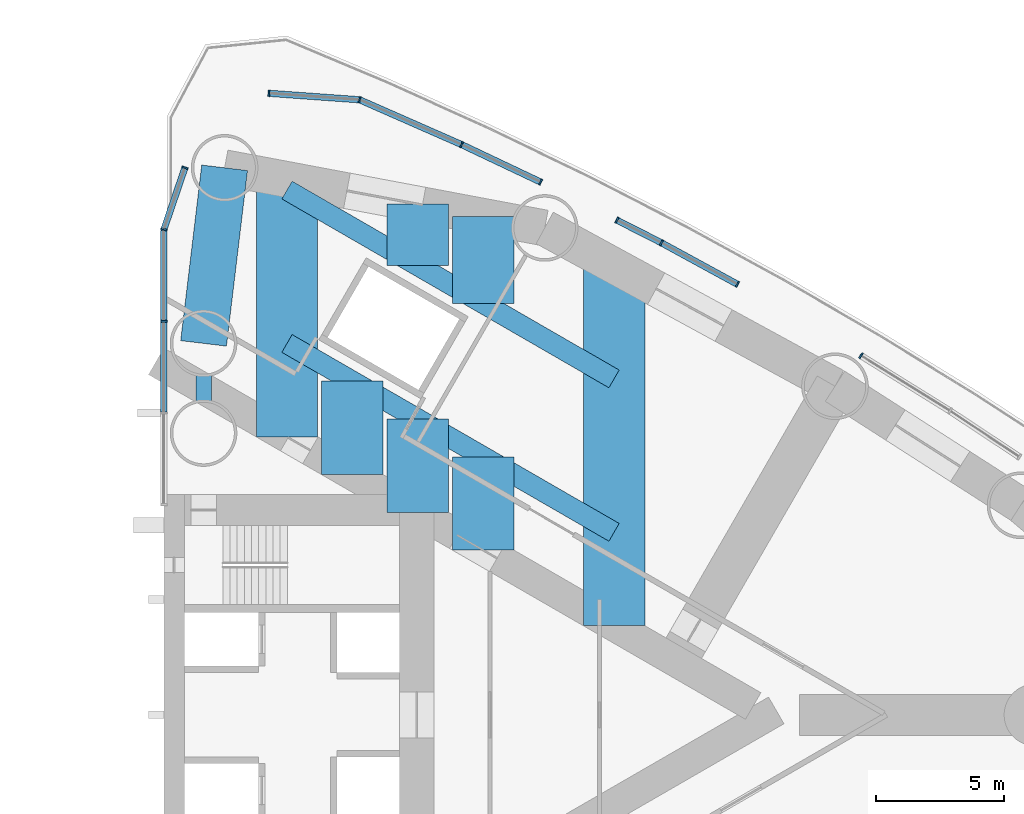
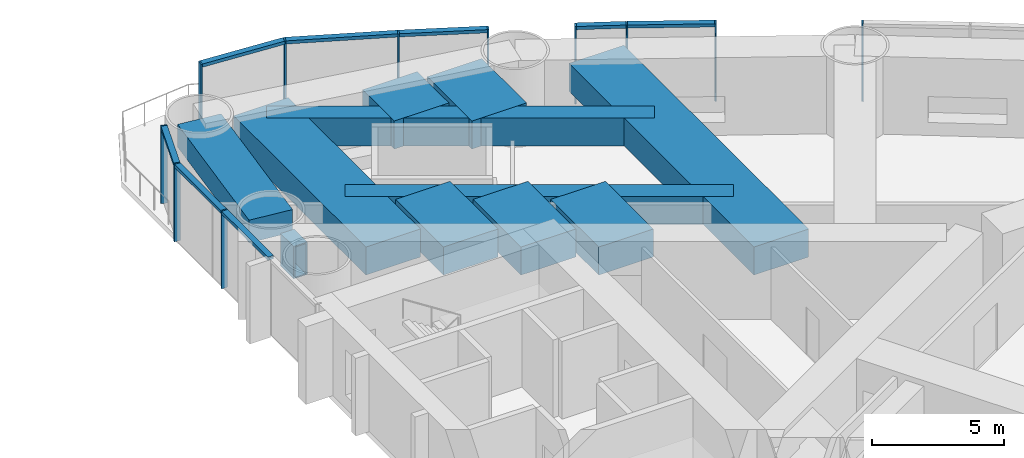
# One storey, part 6 of 19: 19 members, 11 beams, 4 elements without a shape of their own.
"""IFC4 building model written with IfcOpenShell, lengths in metres."""

from ifc_helpers import new_model, si_unit, direction, frame, origin, origin_2d, place, context, subcontext, project, spatial, rectangle, hollow_rectangle, extrude, material, material_profile, profile_set, type_object, element, aggregate, save


model = new_model("IFC4")

# Units and contexts
model_context = context("Model", 3, precision=1e-05, world=origin(), true_north=direction((0.0, 1.0)))
body_context = subcontext(model_context, "Body", "Model", "MODEL_VIEW")
ifc_project = project(units=[si_unit("LENGTHUNIT", "METRE"), si_unit("AREAUNIT", "SQUARE_METRE"), si_unit("VOLUMEUNIT", "CUBIC_METRE"), si_unit("PLANEANGLEUNIT", "RADIAN"), si_unit("MASSUNIT", "GRAM", prefix="KILO")], contexts=[model_context])

# Site, building, storey
site_placement = place(None, origin())
site = spatial("IfcSite", under=ifc_project, at=site_placement, CompositionType="ELEMENT")
building_placement = place(site_placement, origin())
building = spatial("IfcBuilding", under=site, at=building_placement, Name="Lancet Gate Hotel", CompositionType="ELEMENT")
storey_placement = place(building_placement, frame((0.0, 0.0, 87.0)))
storey = spatial("IfcBuildingStorey", under=building, at=storey_placement, Name="L22", CompositionType="ELEMENT", Elevation=87.0)

# Curtain wall, member
ifc_material_1 = material(Name="Aluminium curtain wall", Category="aluminium")
curtain_wall_type = type_object("IfcCurtainWallType", Name="Tower unitised curtain wall", PredefinedType="USERDEFINED", material=ifc_material_1)
curtain_wall_1_placement = place(storey_placement, origin())
curtain_wall_1 = element("IfcCurtainWall", 1, at=curtain_wall_1_placement, inside=storey, type_object=curtain_wall_type, Name="T2 L22 curtain wall 7", ObjectType="UNITISED CURTAIN WALL", PredefinedType="USERDEFINED")
ifc_material_2 = material(Name="Aluminium mullion", Category="aluminium")
ifc_material_profile_1 = material_profile(ifc_material_2, rectangle(XDim=0.06494140625, YDim=0.25, at=origin_2d()), Name="MULLION 65x250")
ifc_profile_set_1 = profile_set([ifc_material_profile_1], Name="Aluminium mullion")
member_type_1 = type_object("IfcMemberType", Name="Aluminium mullion 65x250", PredefinedType="MULLION", material=ifc_profile_set_1)
member_1_placement = place(storey_placement, frame((54.713134765625, 14.020751953125, 0.0), z_axis=(0.0, 0.0, 1.0), x_axis=(-0.849317759497, 0.527881940781, 0.0)))
member_1 = element("IfcMember", 2, at=member_1_placement, type_object=member_type_1, Name="T2 L22 curtain wall 7 mullion 3", PredefinedType="MULLION", context=body_context, shape_type="SweptSolid", body=[
    extrude(rectangle(XDim=0.06494140625, YDim=0.25, at=origin_2d()), origin(), (0.0, 0.0, 1.0), 3.60009765625),
])
aggregate(curtain_wall_1, [member_1])

# Curtain wall, members
curtain_wall_2_placement = place(storey_placement, origin())
curtain_wall_2 = element("IfcCurtainWall", 3, at=curtain_wall_2_placement, inside=storey, type_object=curtain_wall_type, Name="T2 L22 curtain wall 8", ObjectType="UNITISED CURTAIN WALL", PredefinedType="USERDEFINED")
member_2_placement = place(storey_placement, frame((49.890869140625, 16.807861328125, 0.0), z_axis=(0.0, 0.0, 1.0), x_axis=(-0.877916491224, 0.478813778454, 0.0)))
member_2 = element("IfcMember", 4, at=member_2_placement, type_object=member_type_1, Name="T2 L22 curtain wall 8 mullion 1", PredefinedType="MULLION", context=body_context, shape_type="SweptSolid", body=[
    extrude(rectangle(XDim=0.06494140625, YDim=0.25, at=origin_2d()), origin(), (0.0, 0.0, 1.0), 3.60009765625),
])
member_3_placement = place(storey_placement, frame((46.923828125, 18.426025390625, 0.0), z_axis=(0.0, 0.0, 1.0), x_axis=(-0.88284981195, 0.469655415746, 0.0)))
member_3 = element("IfcMember", 5, at=member_3_placement, type_object=member_type_1, Name="T2 L22 curtain wall 8 mullion 2", PredefinedType="MULLION", context=body_context, shape_type="SweptSolid", body=[
    extrude(rectangle(XDim=0.06494140625, YDim=0.25, at=origin_2d()), origin(), (0.0, 0.0, 1.0), 3.60009765625),
])
member_4_placement = place(storey_placement, frame((45.18310546875, 19.312255859375, 0.0), z_axis=(0.0, 0.0, 1.0), x_axis=(-0.891159350462, 0.453690436403, 0.0)))
member_4 = element("IfcMember", 6, at=member_4_placement, type_object=member_type_1, Name="T2 L22 curtain wall 8 mullion 3", PredefinedType="MULLION", context=body_context, shape_type="SweptSolid", body=[
    extrude(rectangle(XDim=0.06494140625, YDim=0.25, at=origin_2d()), origin(), (0.0, 0.0, 1.0), 3.60009765625),
])

curtain_wall_3_placement = place(storey_placement, origin())
curtain_wall_3 = element("IfcCurtainWall", 7, at=curtain_wall_3_placement, inside=storey, type_object=curtain_wall_type, Name="T2 L22 curtain wall 9", ObjectType="UNITISED CURTAIN WALL", PredefinedType="USERDEFINED")
member_5_placement = place(storey_placement, frame((42.2080078125, 20.797119140625, 0.0), z_axis=(0.0, 0.0, 1.0), x_axis=(-0.903683440096, 0.428201167789, 0.0)))
member_5 = element("IfcMember", 8, at=member_5_placement, type_object=member_type_1, Name="T2 L22 curtain wall 9 mullion 1", PredefinedType="MULLION", context=body_context, shape_type="SweptSolid", body=[
    extrude(rectangle(XDim=0.06494140625, YDim=0.25, at=origin_2d()), origin(), (0.0, 0.0, 1.0), 3.60009765625),
])
member_6_placement = place(storey_placement, frame((39.12109375, 22.259765625, 0.0), z_axis=(0.0, 0.0, 1.0), x_axis=(-0.910379263494, 0.413774813878, 0.0)))
member_6 = element("IfcMember", 9, at=member_6_placement, type_object=member_type_1, Name="T2 L22 curtain wall 9 mullion 2", PredefinedType="MULLION", context=body_context, shape_type="SweptSolid", body=[
    extrude(rectangle(XDim=0.06494140625, YDim=0.25, at=origin_2d()), origin(), (0.0, 0.0, 1.0), 3.60009765625),
])
member_7_placement = place(storey_placement, frame((35.141357421875, 24.009033203125, 0.0), z_axis=(0.0, 0.0, 1.0), x_axis=(-0.966317378791, 0.257353304711, 0.0)))
member_7 = element("IfcMember", 10, at=member_7_placement, type_object=member_type_1, Name="T2 L22 curtain wall 9 mullion 3", PredefinedType="MULLION", context=body_context, shape_type="SweptSolid", body=[
    extrude(rectangle(XDim=0.06494140625, YDim=0.25, at=origin_2d()), origin(), (0.0, 0.0, 1.0), 3.60009765625),
])
member_8_placement = place(storey_placement, frame((31.60205078125, 24.26220703125, 0.0), z_axis=(0.0, 0.0, 1.0), x_axis=(-0.997448492935, 0.07138980278, 0.0)))
member_8 = element("IfcMember", 11, at=member_8_placement, type_object=member_type_1, Name="T2 L22 curtain wall 9 mullion 4", PredefinedType="MULLION", context=body_context, shape_type="SweptSolid", body=[
    extrude(rectangle(XDim=0.06494140625, YDim=0.25, at=origin_2d()), origin(), (0.0, 0.0, 1.0), 3.60009765625),
])

curtain_wall_4_placement = place(storey_placement, origin())
curtain_wall_4 = element("IfcCurtainWall", 12, at=curtain_wall_4_placement, inside=storey, type_object=curtain_wall_type, Name="T2 L22 curtain wall 10", ObjectType="UNITISED CURTAIN WALL", PredefinedType="USERDEFINED")
member_9_placement = place(storey_placement, frame((28.322998046875, 21.358154296875, 0.0), z_axis=(0.0, 0.0, 1.0), x_axis=(-0.32257568891, -0.946543673015, 0.0)))
member_9 = element("IfcMember", 13, at=member_9_placement, type_object=member_type_1, Name="T2 L22 curtain wall 10 mullion 1", PredefinedType="MULLION", context=body_context, shape_type="SweptSolid", body=[
    extrude(rectangle(XDim=0.06494140625, YDim=0.25, at=origin_2d()), origin(), (0.0, 0.0, 1.0), 3.60009765625),
])
member_10_placement = place(storey_placement, frame((27.5, 18.94287109375, 0.0), z_axis=(0.0, 0.0, 1.0), x_axis=(-0.135992591255, -0.990709854157, 0.0)))
member_10 = element("IfcMember", 14, at=member_10_placement, type_object=member_type_1, Name="T2 L22 curtain wall 10 mullion 2", PredefinedType="MULLION", context=body_context, shape_type="SweptSolid", body=[
    extrude(rectangle(XDim=0.06494140625, YDim=0.25, at=origin_2d()), origin(), (0.0, 0.0, 1.0), 3.60009765625),
])
member_11_placement = place(storey_placement, frame((27.5, 15.362060546875, 0.0), z_axis=(0.0, 0.0, 1.0), x_axis=(0.0, -1.0, 0.0)))
member_11 = element("IfcMember", 15, at=member_11_placement, type_object=member_type_1, Name="T2 L22 curtain wall 10 mullion 3", PredefinedType="MULLION", context=body_context, shape_type="SweptSolid", body=[
    extrude(rectangle(XDim=0.06494140625, YDim=0.25, at=origin_2d()), origin(), (0.0, 0.0, 1.0), 3.60009765625),
])

# Member
ifc_material_3 = material(Name="Aluminium transom", Category="aluminium")
ifc_material_profile_2 = material_profile(ifc_material_3, rectangle(XDim=0.25, YDim=0.14990234375, at=origin_2d()), Name="TRANSOM 250x150")
ifc_profile_set_2 = profile_set([ifc_material_profile_2], Name="Aluminium transom")
member_type_2 = type_object("IfcMemberType", Name="Aluminium transom 250x150", PredefinedType="USERDEFINED", material=ifc_profile_set_2)
member_12_placement = place(storey_placement, frame((49.8623046875, 16.8232421875, 3.52490234375), z_axis=(-0.877904017397, 0.478836648804, 0.0), x_axis=(-0.478836648804, -0.877904017397, 0.0)))
member_12 = element("IfcMember", 16, at=member_12_placement, type_object=member_type_2, Name="T2 L22 curtain wall 8 transom 1", ObjectType="TRANSOM", PredefinedType="USERDEFINED", context=body_context, shape_type="SweptSolid", body=[
    extrude(rectangle(XDim=0.25, YDim=0.14990234375, at=origin_2d()), origin(), (0.0, 0.0, 1.0), 3.314697265625),
])

member_13_placement = place(storey_placement, frame((46.89501953125, 18.440673828125, 3.52490234375), z_axis=(-0.89117166892, 0.453666239118, 0.0), x_axis=(-0.453666239118, -0.89117166892, 0.0)))
member_13 = element("IfcMember", 17, at=member_13_placement, type_object=member_type_2, Name="T2 L22 curtain wall 8 transom 2", ObjectType="TRANSOM", PredefinedType="USERDEFINED", context=body_context, shape_type="SweptSolid", body=[
    extrude(rectangle(XDim=0.25, YDim=0.14990234375, at=origin_2d()), origin(), (0.0, 0.0, 1.0), 1.888427734375),
])

aggregate(curtain_wall_2, [member_2, member_3, member_4, member_12, member_13])

member_14_placement = place(storey_placement, frame((42.178466796875, 20.81103515625, 3.52490234375), z_axis=(-0.90367106251, 0.428227288693, 0.0), x_axis=(-0.428227288693, -0.90367106251, 0.0)))
member_14 = element("IfcMember", 18, at=member_14_placement, type_object=member_type_2, Name="T2 L22 curtain wall 9 transom 1", ObjectType="TRANSOM", PredefinedType="USERDEFINED", context=body_context, shape_type="SweptSolid", body=[
    extrude(rectangle(XDim=0.25, YDim=0.14990234375, at=origin_2d()), origin(), (0.0, 0.0, 1.0), 3.3505859375),
])

member_15_placement = place(storey_placement, frame((39.09130859375, 22.27294921875, 3.52490234375), z_axis=(-0.915484772266, 0.402352621155, 0.0), x_axis=(-0.402352621155, -0.915484772266, 0.0)))
member_15 = element("IfcMember", 19, at=member_15_placement, type_object=member_type_2, Name="T2 L22 curtain wall 9 transom 2", ObjectType="TRANSOM", PredefinedType="USERDEFINED", context=body_context, shape_type="SweptSolid", body=[
    extrude(rectangle(XDim=0.25, YDim=0.14990234375, at=origin_2d()), origin(), (0.0, 0.0, 1.0), 4.281982421875),
])

member_16_placement = place(storey_placement, frame((35.10888671875, 24.01123046875, 3.52490234375), z_axis=(-0.997446232115, 0.071421383636, 0.0), x_axis=(-0.071421383636, -0.997446232115, 0.0)))
member_16 = element("IfcMember", 20, at=member_16_placement, type_object=member_type_2, Name="T2 L22 curtain wall 9 transom 3", ObjectType="TRANSOM", PredefinedType="USERDEFINED", context=body_context, shape_type="SweptSolid", body=[
    extrude(rectangle(XDim=0.25, YDim=0.14990234375, at=origin_2d()), origin(), (0.0, 0.0, 1.0), 3.483154296875),
])

aggregate(curtain_wall_3, [member_5, member_6, member_7, member_8, member_14, member_15, member_16])

member_17_placement = place(storey_placement, frame((28.3125, 21.327392578125, 3.52490234375), z_axis=(-0.322523994676, -0.946561288485, 0.0), x_axis=(0.946561288485, -0.322523994676, 0.0)))
member_17 = element("IfcMember", 21, at=member_17_placement, type_object=member_type_2, Name="T2 L22 curtain wall 10 transom 1", ObjectType="TRANSOM", PredefinedType="USERDEFINED", context=body_context, shape_type="SweptSolid", body=[
    extrude(rectangle(XDim=0.25, YDim=0.14990234375, at=origin_2d()), origin(), (0.0, 0.0, 1.0), 2.486572265625),
])

member_18_placement = place(storey_placement, frame((27.5, 18.910400390625, 3.52490234375), z_axis=(0.0, -1.0, 0.0), x_axis=(1.0, 0.0, 0.0)))
member_18 = element("IfcMember", 22, at=member_18_placement, type_object=member_type_2, Name="T2 L22 curtain wall 10 transom 2", ObjectType="TRANSOM", PredefinedType="USERDEFINED", context=body_context, shape_type="SweptSolid", body=[
    extrude(rectangle(XDim=0.25, YDim=0.14990234375, at=origin_2d()), origin(), (0.0, 0.0, 1.0), 3.515869140625),
])

member_19_placement = place(storey_placement, frame((27.5, 15.329345703125, 3.52490234375), z_axis=(0.0, -1.0, 0.0), x_axis=(1.0, 0.0, 0.0)))
member_19 = element("IfcMember", 23, at=member_19_placement, type_object=member_type_2, Name="T2 L22 curtain wall 10 transom 3", ObjectType="TRANSOM", PredefinedType="USERDEFINED", context=body_context, shape_type="SweptSolid", body=[
    extrude(rectangle(XDim=0.25, YDim=0.14990234375, at=origin_2d()), origin(), (0.0, 0.0, 1.0), 3.515869140625),
])

aggregate(curtain_wall_4, [member_9, member_10, member_11, member_17, member_18, member_19])

# Beams
ifc_material_4 = material(Name="Concrete C50/60", Category="concrete")
ifc_material_profile_3 = material_profile(ifc_material_4, rectangle(XDim=1.800048828125, YDim=1.050048828125, at=origin_2d()), Name="RC 1800x1050")
ifc_profile_set_3 = profile_set([ifc_material_profile_3], Name="Concrete C50/60")
beam_type_1 = type_object("IfcBeamType", Name="Edge beam RC 1800x1050", PredefinedType="SPANDREL", material=ifc_profile_set_3)
beam_1_placement = place(storey_placement, frame((29.050048828125, 14.5, 2.824951171875), z_axis=(0.119062951196, 0.99288670736, 0.0), x_axis=(-0.99288670736, 0.119062951196, 0.0)))
element("IfcBeam", 24, at=beam_1_placement, inside=storey, type_object=beam_type_1, Name="T2 edge beam EB1 L22", PredefinedType="SPANDREL", context=body_context, shape_type="SweptSolid", body=[
    extrude(rectangle(XDim=1.800048828125, YDim=1.050048828125, at=origin_2d()), origin(), (0.0, 0.0, 1.0), 6.904052734375),
])
ifc_material_5 = material(Name="Concrete C50/60", Category="concrete")
ifc_material_profile_4 = material_profile(ifc_material_5, rectangle(XDim=2.39990234375, YDim=1.300048828125, at=origin_2d()), Name="RC 2400x1300")
ifc_profile_set_4 = profile_set([ifc_material_profile_4], Name="Concrete C50/60")
beam_type_2 = type_object("IfcBeamType", Name="Floor beam RC 2400x1300", PredefinedType="BEAM", material=ifc_profile_set_4)
beam_2_placement = place(storey_placement, frame((32.306396484375, 10.851806640625, 2.699951171875), z_axis=(0.0, 1.0, 0.0), x_axis=(-1.0, 0.0, 0.0)))
element("IfcBeam", 25, at=beam_2_placement, inside=storey, type_object=beam_type_2, Name="T2 floor beam F02N L22", PredefinedType="BEAM", context=body_context, shape_type="SweptSolid", body=[
    extrude(rectangle(XDim=2.39990234375, YDim=1.300048828125, at=origin_2d()), origin(), (0.0, 0.0, 1.0), 10.0458984375),
])
beam_3_placement = place(storey_placement, frame((45.072265625, 3.4814453125, 2.699951171875), z_axis=(0.0, 1.0, 0.0), x_axis=(-1.0, 0.0, 0.0)))
element("IfcBeam", 26, at=beam_3_placement, inside=storey, type_object=beam_type_2, Name="T2 floor beam F09N L22", PredefinedType="BEAM", context=body_context, shape_type="SweptSolid", body=[
    extrude(rectangle(XDim=2.39990234375, YDim=1.300048828125, at=origin_2d()), origin(), (0.0, 0.0, 1.0), 14.0498046875),
])
beam_4_placement = place(storey_placement, frame((34.859619140625, 9.377685546875, 2.699951171875), z_axis=(0.0, 1.0, 0.0), x_axis=(-1.0, 0.0, 0.0)))
element("IfcBeam", 27, at=beam_4_placement, inside=storey, type_object=beam_type_2, Name="T2 floor beam F04NA L22", PredefinedType="BEAM", context=body_context, shape_type="SweptSolid", body=[
    extrude(rectangle(XDim=2.39990234375, YDim=1.300048828125, at=origin_2d()), origin(), (0.0, 0.0, 1.0), 3.645751953125),
])
beam_5_placement = place(storey_placement, frame((37.412841796875, 7.903564453125, 2.699951171875), z_axis=(0.0, 1.0, 0.0), x_axis=(-1.0, 0.0, 0.0)))
element("IfcBeam", 28, at=beam_5_placement, inside=storey, type_object=beam_type_2, Name="T2 floor beam F06NA L22", PredefinedType="BEAM", context=body_context, shape_type="SweptSolid", body=[
    extrude(rectangle(XDim=2.39990234375, YDim=1.300048828125, at=origin_2d()), origin(), (0.0, 0.0, 1.0), 3.6455078125),
])
beam_6_placement = place(storey_placement, frame((37.412841796875, 17.537109375, 2.699951171875), z_axis=(0.0, 1.0, 0.0), x_axis=(-1.0, 0.0, 0.0)))
element("IfcBeam", 29, at=beam_6_placement, inside=storey, type_object=beam_type_2, Name="T2 floor beam F06NB L22", PredefinedType="BEAM", context=body_context, shape_type="SweptSolid", body=[
    extrude(rectangle(XDim=2.39990234375, YDim=1.300048828125, at=origin_2d()), origin(), (0.0, 0.0, 1.0), 2.40087890625),
])
beam_7_placement = place(storey_placement, frame((39.9658203125, 6.429443359375, 2.699951171875), z_axis=(0.0, 1.0, 0.0), x_axis=(-1.0, 0.0, 0.0)))
element("IfcBeam", 30, at=beam_7_placement, inside=storey, type_object=beam_type_2, Name="T2 floor beam F08NA L22", PredefinedType="BEAM", context=body_context, shape_type="SweptSolid", body=[
    extrude(rectangle(XDim=2.39990234375, YDim=1.300048828125, at=origin_2d()), origin(), (0.0, 0.0, 1.0), 3.64501953125),
])
beam_8_placement = place(storey_placement, frame((39.9658203125, 16.062744140625, 2.699951171875), z_axis=(0.0, 1.0, 0.0), x_axis=(-1.0, 0.0, 0.0)))
element("IfcBeam", 31, at=beam_8_placement, inside=storey, type_object=beam_type_2, Name="T2 floor beam F08NB L22", PredefinedType="BEAM", context=body_context, shape_type="SweptSolid", body=[
    extrude(rectangle(XDim=2.39990234375, YDim=1.300048828125, at=origin_2d()), origin(), (0.0, 0.0, 1.0), 3.3955078125),
])
ifc_material_6 = material(Name="Steel S460QL", Category="steel")
ifc_material_profile_5 = material_profile(ifc_material_6, hollow_rectangle(XDim=0.60009765625, YDim=1.5, WallThickness=0.050048828125, at=origin_2d()), Name="BOX 1500x600x50")
ifc_profile_set_5 = profile_set([ifc_material_profile_5], Name="Steel S460QL")
beam_type_3 = type_object("IfcBeamType", Name="Inner-face link beam BOX 1500x600x50", PredefinedType="BEAM", material=ifc_profile_set_5)
beam_9_placement = place(storey_placement, frame((29.050048828125, 12.25, 2.60009765625), z_axis=(0.0, 1.0, 0.0), x_axis=(-1.0, 0.0, 0.0)))
element("IfcBeam", 32, at=beam_9_placement, inside=storey, type_object=beam_type_3, Name="T2 inner-face link beam LK1 L22", PredefinedType="BEAM", context=body_context, shape_type="SweptSolid", body=[
    extrude(hollow_rectangle(XDim=0.60009765625, YDim=1.5, WallThickness=0.050048828125, at=origin_2d()), origin(), (0.0, 0.0, 1.0), 1.0),
])
ifc_material_7 = material(Name="Steel S460QL", Category="steel")
ifc_material_profile_6 = material_profile(ifc_material_7, hollow_rectangle(XDim=0.800048828125, YDim=1.300048828125, WallThickness=0.080078125, at=origin_2d()), Name="BOX 1300x800x80")
ifc_profile_set_6 = profile_set([ifc_material_profile_6], Name="Steel S460QL")
beam_type_4 = type_object("IfcBeamType", Name="Trimmer beam BOX 1300x800x80", PredefinedType="BEAM", material=ifc_profile_set_6)
beam_10_placement = place(storey_placement, frame((32.306396484375, 20.48583984375, 2.699951171875), z_axis=(0.86598286195, -0.500073677381, 0.0), x_axis=(0.500073677381, 0.86598286195, 0.0)))
element("IfcBeam", 33, at=beam_10_placement, inside=storey, type_object=beam_type_4, Name="T2 trimmer beam TR03N L22", PredefinedType="BEAM", context=body_context, shape_type="SweptSolid", body=[
    extrude(hollow_rectangle(XDim=0.800048828125, YDim=1.300048828125, WallThickness=0.080078125, at=origin_2d()), origin(), (0.0, 0.0, 1.0), 14.741455078125),
])
beam_11_placement = place(storey_placement, frame((32.306396484375, 14.497802734375, 2.699951171875), z_axis=(0.865975689888, -0.500086097111, 0.0), x_axis=(0.500086097111, 0.865975689888, 0.0)))
element("IfcBeam", 34, at=beam_11_placement, inside=storey, type_object=beam_type_4, Name="T2 trimmer beam TR04N L22", PredefinedType="BEAM", context=body_context, shape_type="SweptSolid", body=[
    extrude(hollow_rectangle(XDim=0.800048828125, YDim=1.300048828125, WallThickness=0.080078125, at=origin_2d()), origin(), (0.0, 0.0, 1.0), 14.74169921875),
])

save(model, "model.ifc")
